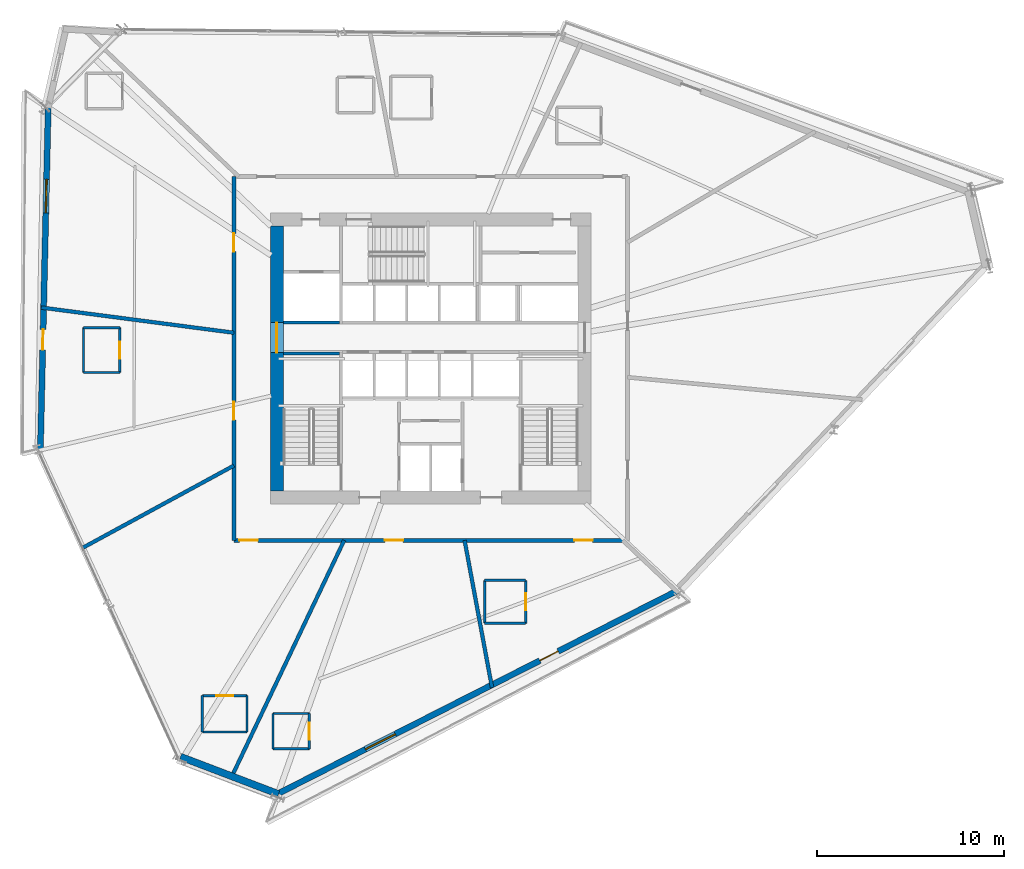
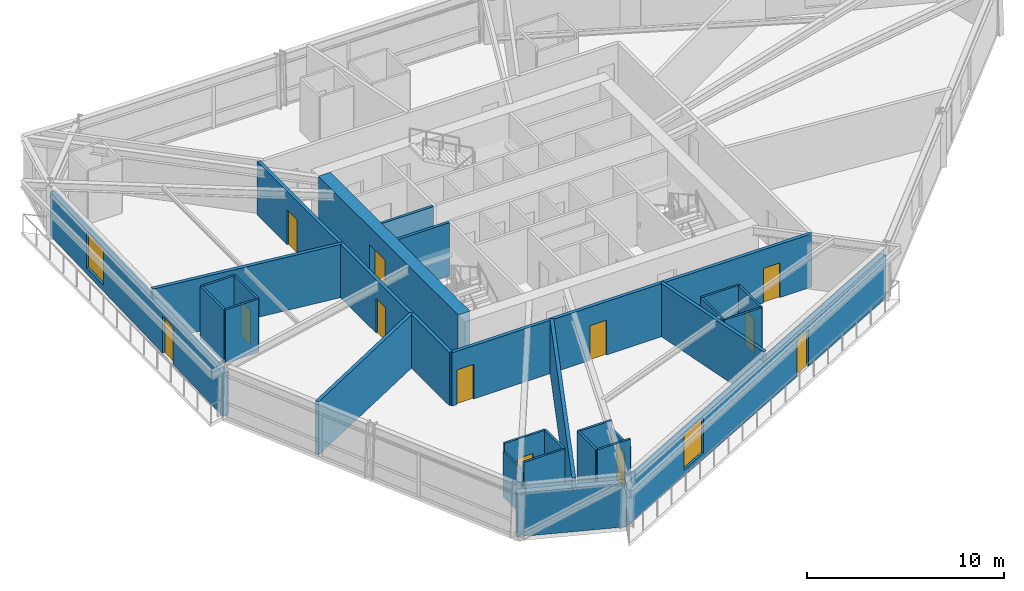
# One storey, part 14 of 21: 28 walls, 12 doors, 2 windows, 14 openings.
"""IFC4 building model written with IfcOpenShell, lengths in metres."""

import ifcopenshell
import ifcopenshell.guid

model = None  # the IFC model being written
_history = None  # IfcOwnerHistory: only IFC2X3 demands one
_inside = {}  # id of a spatial element -> (the spatial element, [elements in it])
_under = {}  # id of a project, library or spatial element -> (it, [spatial elements below it])
_declared = {}  # id of a project -> (the project, [libraries it declares])
_typed = {}  # id of a type object -> (the type object, [elements of that type])
_made_of = {}  # id of a material, layer set ... -> (it, [elements and type objects made of it])


def new_model(schema):
    """Start an empty IFC model of exactly this schema.

    Asked for "IFC4X3", IfcOpenShell would pick the latest addendum, in which some entities
    have other attributes; the version numbers below select the first issue.
    IFC2X3 requires an IfcOwnerHistory on every rooted entity: one is made here for all.
    """
    global model, _history
    if schema == "IFC4X3":
        model = ifcopenshell.file(schema_version=(4, 3, 0, 0))
    else:
        model = ifcopenshell.file(schema=schema)
    _inside.clear()
    _under.clear()
    _declared.clear()
    _typed.clear()
    _made_of.clear()
    _history = None
    if model.schema == "IFC2X3":
        org = make("IfcOrganization", Name="unknown")
        user = make(
            "IfcPersonAndOrganization",
            ThePerson=make("IfcPerson", FamilyName="unknown"),
            TheOrganization=org,
        )
        app = make(
            "IfcApplication",
            ApplicationDeveloper=org,
            Version="unknown",
            ApplicationFullName="unknown",
            ApplicationIdentifier="unknown",
        )
        _history = make(
            "IfcOwnerHistory",
            OwningUser=user,
            OwningApplication=app,
            ChangeAction="ADDED",
            CreationDate=0,
        )
    return model


def make(cls, **values):
    """One entity of the class cls with the attributes given. An attribute that is None is left unset."""
    return model.create_entity(
        cls, **{name: value for name, value in values.items() if value is not None}
    )


def rooted(cls, **values):
    """An entity with a GlobalId (a new one), such as an element, a storey or a relation."""
    return make(cls, GlobalId=ifcopenshell.guid.new(), OwnerHistory=_history, **values)


def si_unit(unit_type, name, prefix=None):
    """IfcSIUnit, for example si_unit("LENGTHUNIT", "METRE", prefix="MILLI")."""
    return make("IfcSIUnit", UnitType=unit_type, Prefix=prefix, Name=name)


def assignment(units):
    """IfcUnitAssignment: the units of a project."""
    return None if units is None else make("IfcUnitAssignment", Units=units)


def point(xyz):
    """IfcCartesianPoint."""
    return None if xyz is None else make("IfcCartesianPoint", Coordinates=xyz)


def direction(xyz):
    """IfcDirection."""
    return None if xyz is None else make("IfcDirection", DirectionRatios=xyz)


def frame(location, z_axis=None, x_axis=None):
    """IfcAxis2Placement3D, a coordinate frame: its origin and axes. An axis left out is left unset."""
    return make(
        "IfcAxis2Placement3D",
        Location=point(location),
        Axis=direction(z_axis),
        RefDirection=direction(x_axis),
    )


def frame_2d(location, x_axis=None):
    """IfcAxis2Placement2D, a coordinate frame in the plane: its origin and x axis."""
    return make(
        "IfcAxis2Placement2D", Location=point(location), RefDirection=direction(x_axis)
    )


def origin():
    """The frame at (0, 0, 0) with its axes left unset."""
    return frame((0.0, 0.0, 0.0))


def place(relative_to, where):
    """IfcLocalPlacement: puts the frame where relative to a parent placement (None: the world)."""
    return make(
        "IfcLocalPlacement", PlacementRelTo=relative_to, RelativePlacement=where
    )


def context(
    kind, dimensions, precision=None, world=None, true_north=None, identifier=None
):
    """IfcGeometricRepresentationContext, for example the 3D "Model" context."""
    return make(
        "IfcGeometricRepresentationContext",
        ContextIdentifier=identifier,
        ContextType=kind,
        CoordinateSpaceDimension=dimensions,
        Precision=precision,
        WorldCoordinateSystem=world,
        TrueNorth=true_north,
    )


def subcontext(parent, identifier, kind, view, scale=None):
    """IfcGeometricRepresentationSubContext, for example "Body" below "Model"."""
    return make(
        "IfcGeometricRepresentationSubContext",
        ContextIdentifier=identifier,
        ContextType=kind,
        ParentContext=parent,
        TargetScale=scale,
        TargetView=view,
    )


def project(units=None, contexts=None):
    """IfcProject with its units and contexts."""
    return rooted(
        "IfcProject",
        Name="project",
        RepresentationContexts=contexts,
        UnitsInContext=assignment(units),
    )


def spatial(cls, under=None, at=None, **own):
    """A site, building, storey or space (cls), placed at a placement, below another one or the project."""
    s = rooted(cls, ObjectPlacement=at, **own)
    if under is not None:
        _under.setdefault(under.id(), (under, []))[1].append(s)
    return s


def profile(cls, at=None, kind="AREA", **sizes):
    """A parametric profile (cls). Its sizes go by their IFC names, for example OverallWidth=200.0."""
    return make(cls, ProfileType=kind, Position=at, **sizes)


def rectangle(**sizes):
    """IfcRectangleProfileDef."""
    return profile("IfcRectangleProfileDef", **sizes)


def extrude(swept, where, along, depth):
    """IfcExtrudedAreaSolid: the profile swept, set in the frame where, extruded along a direction by depth."""
    return make(
        "IfcExtrudedAreaSolid",
        SweptArea=swept,
        Position=where,
        ExtrudedDirection=direction(along),
        Depth=depth,
    )


def shape(context_of_items, identifier, shape_type, items):
    """IfcShapeRepresentation: the items that make up one representation, for example the "Body"."""
    return make(
        "IfcShapeRepresentation",
        ContextOfItems=context_of_items,
        RepresentationIdentifier=identifier,
        RepresentationType=shape_type,
        Items=items,
    )


def source(mapping_origin, context_of_items, identifier, shape_type, items):
    """IfcRepresentationMap: a shape defined once, which mapped items show again and again."""
    return make(
        "IfcRepresentationMap",
        MappingOrigin=mapping_origin,
        MappedRepresentation=shape(context_of_items, identifier, shape_type, items),
    )


def transform(
    local_origin,
    x_axis=None,
    y_axis=None,
    z_axis=None,
    scale=None,
    scale2=None,
    scale3=None,
    uniform=True,
):
    """IfcCartesianTransformationOperator3D, or its non-uniform kind. x_axis, y_axis, z_axis: its Axis1, 2, 3."""
    if uniform:
        return make(
            "IfcCartesianTransformationOperator3D",
            Axis1=direction(x_axis),
            Axis2=direction(y_axis),
            LocalOrigin=point(local_origin),
            Scale=scale,
            Axis3=direction(z_axis),
        )
    return make(
        "IfcCartesianTransformationOperator3DnonUniform",
        Axis1=direction(x_axis),
        Axis2=direction(y_axis),
        LocalOrigin=point(local_origin),
        Scale=scale,
        Axis3=direction(z_axis),
        Scale2=scale2,
        Scale3=scale3,
    )


def mapped(mapping_source, mapping_target):
    """IfcMappedItem: shows the shape of a source again, moved by a transform."""
    return make(
        "IfcMappedItem", MappingSource=mapping_source, MappingTarget=mapping_target
    )


def material(Name=None, Category=None):
    """IfcMaterial."""
    return make("IfcMaterial", Name=Name, Category=Category)


def layer(
    of_material, thickness, ventilated=None, Name=None, Category=None, Priority=None
):
    """IfcMaterialLayer: one layer of a wall or slab, of a material (None: an air gap)."""
    return make(
        "IfcMaterialLayer",
        Material=of_material,
        LayerThickness=thickness,
        IsVentilated=ventilated,
        Name=Name,
        Category=Category,
        Priority=Priority,
    )


def layer_set(layers, Name=None):
    """IfcMaterialLayerSet."""
    return make("IfcMaterialLayerSet", MaterialLayers=layers, LayerSetName=Name)


def made_of(thing, what):
    """Note that an element or type object is made of a material, layer set ...; save() writes the relation."""
    if what is not None:
        _made_of.setdefault(what.id(), (what, []))[1].append(thing)
    return thing


def type_object(cls, material=None, **own):
    """A type object (cls), such as IfcWallType, which elements share."""
    return made_of(rooted(cls, **own), material)


def type_shapes(of_type, sources):
    """Give a type object the sources (RepresentationMaps) that its elements show as mapped items."""
    of_type.RepresentationMaps = sources


def element(
    cls,
    number,
    at=None,
    inside=None,
    cuts=None,
    type_object=None,
    material=None,
    context=None,
    identifier="Body",
    shape_type=None,
    held_by="IfcProductDefinitionShape",
    body=None,
    shapes=None,
    **own,
):
    """One element of the class cls, such as IfcWall. Its Tag is "e" and its number.

    at: its placement. inside: the storey or other place that contains it. cuts: it is an
    opening in that element (IfcRelVoidsElement). A single representation is given by context,
    identifier, shape_type and body (its items); several are given by shapes. held_by: the class
    of the entity that holds the representations. save() writes the other relations.
    """
    e = rooted(cls, Tag="e%d" % number, ObjectPlacement=at, **own)
    if body is not None:
        shapes = [shape(context, identifier, shape_type, body)]
    if shapes is not None:
        e.Representation = make(held_by, Representations=shapes)
    if inside is not None:
        _inside.setdefault(inside.id(), (inside, []))[1].append(e)
    if cuts is not None:
        rooted(
            "IfcRelVoidsElement", RelatingBuildingElement=cuts, RelatedOpeningElement=e
        )
    if type_object is not None:
        _typed.setdefault(type_object.id(), (type_object, []))[1].append(e)
    return made_of(e, material)


def fill(opening, filler):
    """IfcRelFillsElement: the door or window that sits in an opening."""
    return rooted(
        "IfcRelFillsElement",
        RelatingOpeningElement=opening,
        RelatedBuildingElement=filler,
    )


def aggregate(whole, parts):
    """IfcRelAggregates: a whole, such as a stair, and the parts it consists of."""
    return rooted("IfcRelAggregates", RelatingObject=whole, RelatedObjects=parts)


def save(model, path):
    """Write the relations noted so far, then the file.

    IfcRelAggregates (storeys below a building ...), IfcRelContainedInSpatialStructure (elements
    in a storey), IfcRelDefinesByType, IfcRelAssociatesMaterial and IfcRelDeclares: one each for
    every whole, place, type object, material and project.
    """
    for whole, parts in _under.values():
        aggregate(whole, parts)
    for where, things in _inside.values():
        rooted(
            "IfcRelContainedInSpatialStructure",
            RelatedElements=things,
            RelatingStructure=where,
        )
    for kind, things in _typed.values():
        rooted("IfcRelDefinesByType", RelatedObjects=things, RelatingType=kind)
    for what, things in _made_of.values():
        rooted("IfcRelAssociatesMaterial", RelatedObjects=things, RelatingMaterial=what)
    for by, libraries in _declared.values():
        rooted("IfcRelDeclares", RelatingContext=by, RelatedDefinitions=libraries)
    model.write(path)


model = new_model("IFC4")

# Units and contexts
model_context = context("Model", 3, precision=1e-05, world=origin(), true_north=direction((0.0, 1.0)))
body_context = subcontext(model_context, "Body", "Model", "MODEL_VIEW")
ifc_project = project(units=[si_unit("LENGTHUNIT", "METRE"), si_unit("AREAUNIT", "SQUARE_METRE"), si_unit("VOLUMEUNIT", "CUBIC_METRE"), si_unit("PLANEANGLEUNIT", "RADIAN"), si_unit("MASSUNIT", "GRAM", prefix="KILO")], contexts=[model_context])

# Site, building, storey
site_placement = place(None, origin())
site = spatial("IfcSite", under=ifc_project, at=site_placement, CompositionType="ELEMENT")
building_placement = place(site_placement, origin())
building = spatial("IfcBuilding", under=site, at=building_placement, Name="Olszyna Solenne Hotel", CompositionType="ELEMENT")
storey_placement = place(building_placement, frame((0.0, 0.0, 91.5)))
storey = spatial("IfcBuildingStorey", under=building, at=storey_placement, Name="L23", CompositionType="ELEMENT", Elevation=91.5)

# Wall, opening, door
ifc_material_1 = material(Name="Concrete C60/75", Category="concrete")
ifc_layer_1 = layer(ifc_material_1, 0.699951171875, Name="Concrete C60/75")
ifc_layer_set_1 = layer_set([ifc_layer_1], Name="Concrete C60/75")
wall_type_1 = type_object("IfcWallType", Name="WL-CR700", PredefinedType="SHEAR", material=ifc_layer_set_1)
wall_1_placement = place(storey_placement, frame((29.75, 19.5, 0.0), z_axis=(0.0, 0.0, 1.0), x_axis=(0.0, 1.0, 0.0)))
wall_1 = element("IfcWall", 1, at=wall_1_placement, inside=storey, type_object=wall_type_1, Name="Core shear wall WL-CR700 CRW-L23-W", PredefinedType="SHEAR", context=body_context, shape_type="SweptSolid", body=[
    extrude(rectangle(XDim=14.199951171875, YDim=0.699951171875, at=frame_2d((7.10009765625, 0.0))), origin(), (0.0, 0.0, 1.0), 3.300048828125),
])
opening_1_placement = place(wall_1_placement, frame((7.419921875, 0.0, 0.0)))
opening_1 = element("IfcOpeningElement", 2, at=opening_1_placement, cuts=wall_1, Name="Opening LHD-L23-W", PredefinedType="OPENING", context=body_context, shape_type="SweptSolid", body=[
    extrude(rectangle(XDim=1.60009765625, YDim=2.199951171875, at=frame_2d((0.800048828125, 1.10009765625))), frame((0.0, 0.35986328125, 0.0), z_axis=(0.0, -1.0, 0.0), x_axis=(1.0, 0.0, 0.0)), (0.0, 0.0, 1.0), 0.719970703125),
])
ifc_material_2 = material(Name="Timber hardwood", Category="wood")
door_type_1 = type_object("IfcDoorType", Name="DR-CR1", OperationType="DOUBLE_DOOR_SINGLE_SWING", PredefinedType="DOOR", material=ifc_material_2)
shared_shape_1 = source(origin(), body_context, "Body", "SweptSolid", [
    extrude(rectangle(XDim=1.60009765625, YDim=2.199951171875, at=frame_2d((0.800048828125, 1.10009765625))), frame((0.0, 0.02490234375, 0.0), z_axis=(0.0, -1.0, 0.0), x_axis=(1.0, 0.0, 0.0)), (0.0, 0.0, 1.0), 0.050048828125),
])
type_shapes(door_type_1, [shared_shape_1])
door_1_placement = place(opening_1_placement, origin())
door_1 = element("IfcDoor", 3, at=door_1_placement, inside=storey, type_object=door_type_1, Name="Passenger lift lobby West fire door LHD-L23-W", OperationType="DOUBLE_DOOR_SINGLE_SWING", OverallHeight=2.199951171875, OverallWidth=1.60009765625, PredefinedType="DOOR", context=body_context, shape_type="MappedRepresentation", body=[
    mapped(shared_shape_1, transform((0.0, 0.0, 0.0), x_axis=(1.0, 0.0, 0.0), y_axis=(0.0, 1.0, 0.0), z_axis=(0.0, 0.0, 1.0), scale=1.0)),
])
fill(opening_1, door_1)

# Wall, openings, door, window
ifc_material_3 = material(Name="Precast concrete C45/55", Category="concrete")
ifc_layer_2 = layer(ifc_material_3, 0.320068359375, Name="Precast concrete C45/55")
ifc_layer_set_2 = layer_set([ifc_layer_2], Name="Precast concrete C45/55")
wall_type_2 = type_object("IfcWallType", Name="WL-EX320", PredefinedType="SOLIDWALL", material=ifc_layer_set_2)
wall_2_placement = place(storey_placement, frame((51.23193359375, 14.158935546875, 0.0), z_axis=(0.0, 0.0, 1.0), x_axis=(-0.891474274581, -0.453071316417, 0.0)))
wall_2 = element("IfcWall", 4, at=wall_2_placement, inside=storey, type_object=wall_type_2, Name="Exterior terracotta-precast frame wall WL-EX320 EW-L23-01", PredefinedType="SOLIDWALL", context=body_context, shape_type="SweptSolid", body=[
    extrude(rectangle(XDim=24.150390625, YDim=0.320068359375, at=frame_2d((12.0751953125, 0.0))), origin(), (0.0, 0.0, 1.0), 2.69189453125),
])
opening_2_placement = place(wall_2_placement, frame((7.177978515625, 0.0, 0.0)))
opening_2 = element("IfcOpeningElement", 5, at=opening_2_placement, cuts=wall_2, Name="Opening LDG-L23-3", PredefinedType="OPENING", context=body_context, shape_type="SweptSolid", body=[
    extrude(rectangle(XDim=1.10009765625, YDim=2.300048828125, at=frame_2d((0.550048828125, 1.14990234375))), frame((0.0, 0.169921875, 0.0), z_axis=(0.0, -1.0, 0.0), x_axis=(1.0, 0.0, 0.0)), (0.0, 0.0, 1.0), 0.340087890625),
])
opening_3_placement = place(wall_2_placement, frame((16.970947265625, 0.0, 0.3720703125)))
opening_3 = element("IfcOpeningElement", 6, at=opening_3_placement, cuts=wall_2, Name="Opening WN-L23-121", PredefinedType="OPENING", context=body_context, shape_type="SweptSolid", body=[
    extrude(rectangle(XDim=1.800048828125, YDim=2.199951171875, at=frame_2d((0.89990234375, 1.10009765625))), frame((0.0, 0.169921875, 0.0), z_axis=(0.0, -1.0, 0.0), x_axis=(1.0, 0.0, 0.0)), (0.0, 0.0, 1.0), 0.340087890625),
])
ifc_material_4 = material(Name="Anodised bronze aluminium", Category="aluminium")
door_type_2 = type_object("IfcDoorType", Name="DR-LG1", OperationType="NOTDEFINED", PredefinedType="DOOR", material=ifc_material_4)
shared_shape_2 = source(origin(), body_context, "Body", "SweptSolid", [
    extrude(rectangle(XDim=1.10009765625, YDim=2.300048828125, at=frame_2d((0.550048828125, 1.14990234375))), frame((0.0, 0.02490234375, 0.0), z_axis=(0.0, -1.0, 0.0), x_axis=(1.0, 0.0, 0.0)), (0.0, 0.0, 1.0), 0.050048828125),
])
type_shapes(door_type_2, [shared_shape_2])
door_2_placement = place(opening_2_placement, origin())
door_2 = element("IfcDoor", 7, at=door_2_placement, inside=storey, type_object=door_type_2, Name="Exterior loggia balcony door DR-LG1 LDG-L23-3", OperationType="SINGLE_SWING_RIGHT", OverallHeight=2.300048828125, OverallWidth=1.10009765625, PredefinedType="DOOR", context=body_context, shape_type="MappedRepresentation", body=[
    mapped(shared_shape_2, transform((0.0, 0.0, 0.0), x_axis=(1.0, 0.0, 0.0), y_axis=(0.0, 1.0, 0.0), z_axis=(0.0, 0.0, 1.0), scale=1.0)),
])
fill(opening_2, door_2)
ifc_material_5 = material(Name="Low-E triple glazing", Category="glass")
window_type = type_object("IfcWindowType", Name="WN-HT1", PartitioningType="SINGLE_PANEL", PredefinedType="WINDOW", material=ifc_material_5)
shared_shape_3 = source(origin(), body_context, "Body", "SweptSolid", [
    extrude(rectangle(XDim=1.800048828125, YDim=2.199951171875, at=frame_2d((0.89990234375, 1.10009765625))), frame((0.0, 0.030029296875, 0.0), z_axis=(0.0, -1.0, 0.0), x_axis=(1.0, 0.0, 0.0)), (0.0, 0.0, 1.0), 0.06005859375),
])
type_shapes(window_type, [shared_shape_3])
window_1_placement = place(opening_3_placement, origin())
window_1 = element("IfcWindow", 8, at=window_1_placement, inside=storey, type_object=window_type, Name="Loggia room window WN-HT1 WN-L23-121", OverallHeight=2.199951171875, OverallWidth=1.800048828125, PartitioningType="SINGLE_PANEL", PredefinedType="WINDOW", context=body_context, shape_type="MappedRepresentation", body=[
    mapped(shared_shape_3, transform((0.0, 0.0, 0.0), x_axis=(1.0, 0.0, 0.0), y_axis=(0.0, 1.0, 0.0), z_axis=(0.0, 0.0, 1.0), scale=1.0)),
])
fill(opening_3, window_1)

wall_3_placement = place(storey_placement, frame((17.079833984375, 21.746826171875, 0.0), z_axis=(0.0, 0.0, 1.0), x_axis=(0.022779504823, 0.999740513413, 0.0)))
wall_3 = element("IfcWall", 9, at=wall_3_placement, inside=storey, type_object=wall_type_2, Name="Exterior terracotta-precast frame wall WL-EX320 EW-L23-04", PredefinedType="SOLIDWALL", context=body_context, shape_type="SweptSolid", body=[
    extrude(rectangle(XDim=18.326904296875, YDim=0.320068359375, at=frame_2d((9.16357421875, 0.0))), origin(), (0.0, 0.0, 1.0), 2.69189453125),
])
opening_4_placement = place(wall_3_placement, frame((5.31494140625, 0.0, 0.0)))
opening_4 = element("IfcOpeningElement", 10, at=opening_4_placement, cuts=wall_3, Name="Opening LDG-L23-2", PredefinedType="OPENING", context=body_context, shape_type="SweptSolid", body=[
    extrude(rectangle(XDim=1.10009765625, YDim=2.300048828125, at=frame_2d((0.550048828125, 1.14990234375))), frame((0.0, 0.169921875, 0.0), z_axis=(0.0, -1.0, 0.0), x_axis=(1.0, 0.0, 0.0)), (0.0, 0.0, 1.0), 0.340087890625),
])
opening_5_placement = place(wall_3_placement, frame((12.662109375, 0.0, 0.3720703125)))
opening_5 = element("IfcOpeningElement", 11, at=opening_5_placement, cuts=wall_3, Name="Opening WN-L23-122", PredefinedType="OPENING", context=body_context, shape_type="SweptSolid", body=[
    extrude(rectangle(XDim=1.800048828125, YDim=2.199951171875, at=frame_2d((0.89990234375, 1.10009765625))), frame((0.0, 0.169921875, 0.0), z_axis=(0.0, -1.0, 0.0), x_axis=(1.0, 0.0, 0.0)), (0.0, 0.0, 1.0), 0.340087890625),
])
door_3_placement = place(opening_4_placement, origin())
door_3 = element("IfcDoor", 12, at=door_3_placement, inside=storey, type_object=door_type_2, Name="Exterior loggia balcony door DR-LG1 LDG-L23-2", OperationType="SINGLE_SWING_LEFT", OverallHeight=2.300048828125, OverallWidth=1.10009765625, PredefinedType="DOOR", context=body_context, shape_type="MappedRepresentation", body=[
    mapped(shared_shape_2, transform((0.0, 0.0, 0.0), x_axis=(1.0, 0.0, 0.0), y_axis=(0.0, 1.0, 0.0), z_axis=(0.0, 0.0, 1.0), scale=1.0)),
])
fill(opening_4, door_3)
window_2_placement = place(opening_5_placement, origin())
window_2 = element("IfcWindow", 13, at=window_2_placement, inside=storey, type_object=window_type, Name="Loggia room window WN-HT1 WN-L23-122", OverallHeight=2.199951171875, OverallWidth=1.800048828125, PartitioningType="SINGLE_PANEL", PredefinedType="WINDOW", context=body_context, shape_type="MappedRepresentation", body=[
    mapped(shared_shape_3, transform((0.0, 0.0, 0.0), x_axis=(1.0, 0.0, 0.0), y_axis=(0.0, 1.0, 0.0), z_axis=(0.0, 0.0, 1.0), scale=1.0)),
])
fill(opening_5, window_2)

# Wall
ifc_material_6 = material(Name="Terracotta cladding on precast concrete C45/55", Category="masonry")
ifc_layer_3 = layer(ifc_material_6, 0.3798828125, Name="Terracotta cladding on precast concrete C45/55")
ifc_layer_set_3 = layer_set([ifc_layer_3], Name="Terracotta cladding on precast concrete C45/55")
wall_type_3 = type_object("IfcWallType", Name="WL-EX380", PredefinedType="SOLIDWALL", material=ifc_layer_set_3)
wall_4_placement = place(storey_placement, frame((29.84228515625, 3.251953125, 0.0), z_axis=(0.0, 0.0, 1.0), x_axis=(-0.934519383399, 0.355912239255, 0.0)))
element("IfcWall", 14, at=wall_4_placement, inside=storey, type_object=wall_type_3, Name="Exterior terracotta-precast frame wall WL-EX380 EW-L23-02", PredefinedType="SOLIDWALL", context=body_context, shape_type="SweptSolid", body=[
    extrude(rectangle(XDim=5.620849609375, YDim=0.3798828125, at=frame_2d((2.810546875, 0.0))), origin(), (0.0, 0.0, 1.0), 2.69189453125),
])

# Wall, opening, door
ifc_material_7 = material(Name="Acoustic gypsum partition", Category="gypsum")
ifc_layer_4 = layer(ifc_material_7, 0.125, Name="Acoustic gypsum partition")
ifc_layer_set_4 = layer_set([ifc_layer_4], Name="Acoustic gypsum partition")
wall_type_4 = type_object("IfcWallType", Name="WL-PT125", PredefinedType="PARTITIONING", material=ifc_layer_set_4)
wall_5_placement = place(storey_placement, frame((21.3359375, 25.847900390625, 0.0), z_axis=(0.0, 0.0, 1.0), x_axis=(0.0, 1.0, 0.0)))
wall_5 = element("IfcWall", 15, at=wall_5_placement, inside=storey, type_object=wall_type_4, Name="Interior acoustic partition WL-PT125 PW-L23-1319", PredefinedType="PARTITIONING", context=body_context, shape_type="SweptSolid", body=[
    extrude(rectangle(XDim=2.400146484375, YDim=0.125, at=frame_2d((1.2001953125, 0.0))), origin(), (0.0, 0.0, 1.0), 3.300048828125),
])
opening_6_placement = place(wall_5_placement, frame((0.75, 0.0, 0.0)))
opening_6 = element("IfcOpeningElement", 16, at=opening_6_placement, cuts=wall_5, Name="Opening DR-L23-0305", PredefinedType="OPENING", context=body_context, shape_type="SweptSolid", body=[
    extrude(rectangle(XDim=0.89990234375, YDim=2.10009765625, at=frame_2d((0.449951171875, 1.050048828125))), frame((0.0, 0.072509765625, 0.0), z_axis=(0.0, -1.0, 0.0), x_axis=(1.0, 0.0, 0.0)), (0.0, 0.0, 1.0), 0.14501953125),
])
door_type_3 = type_object("IfcDoorType", Name="DR-WC1", OperationType="NOTDEFINED", PredefinedType="DOOR", material=ifc_material_2)
shared_shape_4 = source(origin(), body_context, "Body", "SweptSolid", [
    extrude(rectangle(XDim=0.89990234375, YDim=2.10009765625, at=frame_2d((0.449951171875, 1.050048828125))), frame((0.0, 0.02490234375, 0.0), z_axis=(0.0, -1.0, 0.0), x_axis=(1.0, 0.0, 0.0)), (0.0, 0.0, 1.0), 0.050048828125),
])
type_shapes(door_type_3, [shared_shape_4])
door_4_placement = place(opening_6_placement, origin())
door_4 = element("IfcDoor", 17, at=door_4_placement, inside=storey, type_object=door_type_3, Name="En-Suite Bathroom Door DR-L23-0305", OperationType="SINGLE_SWING_LEFT", OverallHeight=2.10009765625, OverallWidth=0.89990234375, PredefinedType="DOOR", context=body_context, shape_type="MappedRepresentation", body=[
    mapped(shared_shape_4, transform((0.0, 0.0, 0.0), x_axis=(1.0, 0.0, 0.0), y_axis=(0.0, 1.0, 0.0), z_axis=(0.0, 0.0, 1.0), scale=1.0)),
])
fill(opening_6, door_4)

# Walls
wall_6_placement = place(storey_placement, frame((21.3359375, 28.248046875, 0.0), z_axis=(0.0, 0.0, 1.0), x_axis=(-1.0, 0.0, 0.0)))
element("IfcWall", 18, at=wall_6_placement, inside=storey, type_object=wall_type_4, Name="Interior acoustic partition WL-PT125 PW-L23-1320", PredefinedType="PARTITIONING", context=body_context, shape_type="SweptSolid", body=[
    extrude(rectangle(XDim=1.949951171875, YDim=0.125, at=frame_2d((0.97509765625, 0.0))), origin(), (0.0, 0.0, 1.0), 3.300048828125),
])
wall_7_placement = place(storey_placement, frame((19.385986328125, 28.248046875, 0.0), z_axis=(0.0, 0.0, 1.0), x_axis=(0.0, -1.0, 0.0)))
element("IfcWall", 19, at=wall_7_placement, inside=storey, type_object=wall_type_4, Name="Interior acoustic partition WL-PT125 PW-L23-1321", PredefinedType="PARTITIONING", context=body_context, shape_type="SweptSolid", body=[
    extrude(rectangle(XDim=2.400146484375, YDim=0.125, at=frame_2d((1.2001953125, 0.0))), origin(), (0.0, 0.0, 1.0), 3.300048828125),
])
for number, where, z_axis, x_axis, name in (
    (20, (19.385986328125, 25.847900390625, 0.0), (0.0, 0.0, 1.0), (1.0, 0.0, 0.0), "Interior acoustic partition WL-PT125 PW-L23-1322"),
    (21, (28.155029296875, 6.580078125, 0.0), (0.0, 0.0, 1.0), (0.0, 1.0, 0.0), "Interior acoustic partition WL-PT125 PW-L23-1323"),
):
    element("IfcWall", number, at=place(storey_placement, frame(where, z_axis=z_axis, x_axis=x_axis)), inside=storey, type_object=wall_type_4, Name=name, PredefinedType="PARTITIONING", context=body_context, shape_type="SweptSolid", body=[
        extrude(rectangle(XDim=1.949951171875, YDim=0.125, at=frame_2d((0.97509765625, 0.0))), origin(), (0.0, 0.0, 1.0), 3.300048828125),
    ])

# Wall, opening, door
wall_8_placement = place(storey_placement, frame((28.155029296875, 8.530029296875, 0.0), z_axis=(0.0, 0.0, 1.0), x_axis=(-1.0, 0.0, 0.0)))
wall_8 = element("IfcWall", 22, at=wall_8_placement, inside=storey, type_object=wall_type_4, Name="Interior acoustic partition WL-PT125 PW-L23-1324", PredefinedType="PARTITIONING", context=body_context, shape_type="SweptSolid", body=[
    extrude(rectangle(XDim=2.400146484375, YDim=0.125, at=frame_2d((1.2001953125, 0.0))), origin(), (0.0, 0.0, 1.0), 3.300048828125),
])
opening_7_placement = place(wall_8_placement, frame((0.75, 0.0, 0.0)))
opening_7 = element("IfcOpeningElement", 23, at=opening_7_placement, cuts=wall_8, Name="Opening DR-L23-0306", PredefinedType="OPENING", context=body_context, shape_type="SweptSolid", body=[
    extrude(rectangle(XDim=0.89990234375, YDim=2.10009765625, at=frame_2d((0.449951171875, 1.050048828125))), frame((0.0, 0.072509765625, 0.0), z_axis=(0.0, -1.0, 0.0), x_axis=(1.0, 0.0, 0.0)), (0.0, 0.0, 1.0), 0.14501953125),
])
door_5_placement = place(opening_7_placement, origin())
door_5 = element("IfcDoor", 24, at=door_5_placement, inside=storey, type_object=door_type_3, Name="En-Suite Bathroom Door DR-L23-0306", OperationType="SINGLE_SWING_RIGHT", OverallHeight=2.10009765625, OverallWidth=0.89990234375, PredefinedType="DOOR", context=body_context, shape_type="MappedRepresentation", body=[
    mapped(shared_shape_4, transform((0.0, 0.0, 0.0), x_axis=(1.0, 0.0, 0.0), y_axis=(0.0, 1.0, 0.0), z_axis=(0.0, 0.0, 1.0), scale=1.0)),
])
fill(opening_7, door_5)

# Walls
wall_9_placement = place(storey_placement, frame((25.7548828125, 8.530029296875, 0.0), z_axis=(0.0, 0.0, 1.0), x_axis=(0.0, -1.0, 0.0)))
element("IfcWall", 25, at=wall_9_placement, inside=storey, type_object=wall_type_4, Name="Interior acoustic partition WL-PT125 PW-L23-1325", PredefinedType="PARTITIONING", context=body_context, shape_type="SweptSolid", body=[
    extrude(rectangle(XDim=1.949951171875, YDim=0.125, at=frame_2d((0.97509765625, 0.0))), origin(), (0.0, 0.0, 1.0), 2.794921875),
])
wall_10_placement = place(storey_placement, frame((25.7548828125, 6.580078125, 0.0), z_axis=(0.0, 0.0, 1.0), x_axis=(1.0, 0.0, 0.0)))
element("IfcWall", 26, at=wall_10_placement, inside=storey, type_object=wall_type_4, Name="Interior acoustic partition WL-PT125 PW-L23-1326", PredefinedType="PARTITIONING", context=body_context, shape_type="SweptSolid", body=[
    extrude(rectangle(XDim=2.400146484375, YDim=0.125, at=frame_2d((1.2001953125, 0.0))), origin(), (0.0, 0.0, 1.0), 3.300048828125),
])

# Wall, opening, door
wall_11_placement = place(storey_placement, frame((31.492919921875, 5.676025390625, 0.0), z_axis=(0.0, 0.0, 1.0), x_axis=(0.0, 1.0, 0.0)))
wall_11 = element("IfcWall", 27, at=wall_11_placement, inside=storey, type_object=wall_type_4, Name="Interior acoustic partition WL-PT125 PW-L23-1327", PredefinedType="PARTITIONING", context=body_context, shape_type="SweptSolid", body=[
    extrude(rectangle(XDim=1.89990234375, YDim=0.125, at=frame_2d((0.949951171875, 0.0))), origin(), (0.0, 0.0, 1.0), 2.794921875),
])
opening_8_placement = place(wall_11_placement, frame((0.5, 0.0, 0.0)))
opening_8 = element("IfcOpeningElement", 28, at=opening_8_placement, cuts=wall_11, Name="Opening DR-L23-0307", PredefinedType="OPENING", context=body_context, shape_type="SweptSolid", body=[
    extrude(rectangle(XDim=0.89990234375, YDim=2.10009765625, at=frame_2d((0.449951171875, 1.050048828125))), frame((0.0, 0.072509765625, 0.0), z_axis=(0.0, -1.0, 0.0), x_axis=(1.0, 0.0, 0.0)), (0.0, 0.0, 1.0), 0.14501953125),
])
door_6_placement = place(opening_8_placement, origin())
door_6 = element("IfcDoor", 29, at=door_6_placement, inside=storey, type_object=door_type_3, Name="En-Suite Bathroom Door DR-L23-0307", OperationType="SINGLE_SWING_LEFT", OverallHeight=2.10009765625, OverallWidth=0.89990234375, PredefinedType="DOOR", context=body_context, shape_type="MappedRepresentation", body=[
    mapped(shared_shape_4, transform((0.0, 0.0, 0.0), x_axis=(1.0, 0.0, 0.0), y_axis=(0.0, 1.0, 0.0), z_axis=(0.0, 0.0, 1.0), scale=1.0)),
])
fill(opening_8, door_6)

# Walls
wall_12_placement = place(storey_placement, frame((31.492919921875, 7.575927734375, 0.0), z_axis=(0.0, 0.0, 1.0), x_axis=(-1.0, 0.0, 0.0)))
element("IfcWall", 30, at=wall_12_placement, inside=storey, type_object=wall_type_4, Name="Interior acoustic partition WL-PT125 PW-L23-1328", PredefinedType="PARTITIONING", context=body_context, shape_type="SweptSolid", body=[
    extrude(rectangle(XDim=1.949951171875, YDim=0.125, at=frame_2d((0.97509765625, 0.0))), origin(), (0.0, 0.0, 1.0), 3.300048828125),
])
wall_13_placement = place(storey_placement, frame((29.54296875, 7.575927734375, 0.0), z_axis=(0.0, 0.0, 1.0), x_axis=(0.0, -1.0, 0.0)))
element("IfcWall", 31, at=wall_13_placement, inside=storey, type_object=wall_type_4, Name="Interior acoustic partition WL-PT125 PW-L23-1329", PredefinedType="PARTITIONING", context=body_context, shape_type="SweptSolid", body=[
    extrude(rectangle(XDim=1.89990234375, YDim=0.125, at=frame_2d((0.949951171875, 0.0))), origin(), (0.0, 0.0, 1.0), 3.300048828125),
])
wall_14_placement = place(storey_placement, frame((29.54296875, 5.676025390625, 0.0), z_axis=(0.0, 0.0, 1.0), x_axis=(1.0, 0.0, 0.0)))
element("IfcWall", 32, at=wall_14_placement, inside=storey, type_object=wall_type_4, Name="Interior acoustic partition WL-PT125 PW-L23-1330", PredefinedType="PARTITIONING", context=body_context, shape_type="SweptSolid", body=[
    extrude(rectangle(XDim=1.949951171875, YDim=0.125, at=frame_2d((0.97509765625, 0.0))), origin(), (0.0, 0.0, 1.0), 3.300048828125),
])

# Wall, opening, door
wall_15_placement = place(storey_placement, frame((43.091064453125, 12.408935546875, 0.0), z_axis=(0.0, 0.0, 1.0), x_axis=(0.0, 1.0, 0.0)))
wall_15 = element("IfcWall", 33, at=wall_15_placement, inside=storey, type_object=wall_type_4, Name="Interior acoustic partition WL-PT125 PW-L23-1331", PredefinedType="PARTITIONING", context=body_context, shape_type="SweptSolid", body=[
    extrude(rectangle(XDim=2.300048828125, YDim=0.125, at=frame_2d((1.14990234375, 0.0))), origin(), (0.0, 0.0, 1.0), 3.300048828125),
])
opening_9_placement = place(wall_15_placement, frame((0.699951171875, 0.0, 0.0)))
opening_9 = element("IfcOpeningElement", 34, at=opening_9_placement, cuts=wall_15, Name="Opening DR-L23-0308", PredefinedType="OPENING", context=body_context, shape_type="SweptSolid", body=[
    extrude(rectangle(XDim=0.89990234375, YDim=2.10009765625, at=frame_2d((0.449951171875, 1.050048828125))), frame((0.0, 0.072509765625, 0.0), z_axis=(0.0, -1.0, 0.0), x_axis=(1.0, 0.0, 0.0)), (0.0, 0.0, 1.0), 0.14501953125),
])
door_7_placement = place(opening_9_placement, origin())
door_7 = element("IfcDoor", 35, at=door_7_placement, inside=storey, type_object=door_type_3, Name="En-Suite Bathroom Door DR-L23-0308", OperationType="SINGLE_SWING_LEFT", OverallHeight=2.10009765625, OverallWidth=0.89990234375, PredefinedType="DOOR", context=body_context, shape_type="MappedRepresentation", body=[
    mapped(shared_shape_4, transform((0.0, 0.0, 0.0), x_axis=(1.0, 0.0, 0.0), y_axis=(0.0, 1.0, 0.0), z_axis=(0.0, 0.0, 1.0), scale=1.0)),
])
fill(opening_9, door_7)

# Walls
wall_16_placement = place(storey_placement, frame((43.091064453125, 14.708984375, 0.0), z_axis=(0.0, 0.0, 1.0), x_axis=(-1.0, 0.0, 0.0)))
element("IfcWall", 36, at=wall_16_placement, inside=storey, type_object=wall_type_4, Name="Interior acoustic partition WL-PT125 PW-L23-1332", PredefinedType="PARTITIONING", context=body_context, shape_type="SweptSolid", body=[
    extrude(rectangle(XDim=2.199951171875, YDim=0.125, at=frame_2d((1.10009765625, 0.0))), origin(), (0.0, 0.0, 1.0), 3.300048828125),
])
wall_17_placement = place(storey_placement, frame((40.89111328125, 14.708984375, 0.0), z_axis=(0.0, 0.0, 1.0), x_axis=(0.0, -1.0, 0.0)))
element("IfcWall", 37, at=wall_17_placement, inside=storey, type_object=wall_type_4, Name="Interior acoustic partition WL-PT125 PW-L23-1333", PredefinedType="PARTITIONING", context=body_context, shape_type="SweptSolid", body=[
    extrude(rectangle(XDim=2.300048828125, YDim=0.125, at=frame_2d((1.14990234375, 0.0))), origin(), (0.0, 0.0, 1.0), 3.300048828125),
])
wall_18_placement = place(storey_placement, frame((40.89111328125, 12.408935546875, 0.0), z_axis=(0.0, 0.0, 1.0), x_axis=(1.0, 0.0, 0.0)))
element("IfcWall", 38, at=wall_18_placement, inside=storey, type_object=wall_type_4, Name="Interior acoustic partition WL-PT125 PW-L23-1334", PredefinedType="PARTITIONING", context=body_context, shape_type="SweptSolid", body=[
    extrude(rectangle(XDim=2.199951171875, YDim=0.125, at=frame_2d((1.10009765625, 0.0))), origin(), (0.0, 0.0, 1.0), 3.300048828125),
])
ifc_layer_5 = layer(ifc_material_7, 0.159912109375, Name="Acoustic gypsum partition")
ifc_layer_set_5 = layer_set([ifc_layer_5], Name="Acoustic gypsum partition")
wall_type_5 = type_object("IfcWallType", Name="WL-PT160", PredefinedType="PARTITIONING", material=ifc_layer_set_5)
for number, where, z_axis, x_axis, name in (
    (39, (30.10009765625, 26.8798828125, 0.0), (0.0, 0.0, 1.0), (1.0, 0.0, 0.0), "Core shaft compartment wall CW-L23-ST1N"),
    (40, (30.10009765625, 28.52001953125, 0.0), (0.0, 0.0, 1.0), (1.0, 0.0, 0.0), "Core shaft compartment wall CW-L23-SV1S"),
):
    element("IfcWall", number, at=place(storey_placement, frame(where, z_axis=z_axis, x_axis=x_axis)), inside=storey, type_object=wall_type_5, Name=name, PredefinedType="PARTITIONING", context=body_context, shape_type="SweptSolid", body=[
        extrude(rectangle(XDim=3.02001953125, YDim=0.159912109375, at=frame_2d((1.510009765625, 0.0))), origin(), (0.0, 0.0, 1.0), 3.300048828125),
    ])
ifc_layer_6 = layer(ifc_material_7, 0.199951171875, Name="Acoustic gypsum partition")
ifc_layer_set_6 = layer_set([ifc_layer_6], Name="Acoustic gypsum partition")
wall_type_6 = type_object("IfcWallType", Name="WL-PT200", PredefinedType="PARTITIONING", material=ifc_layer_set_6)
wall_19_placement = place(storey_placement, frame((27.449951171875, 27.9794921875, 0.0), z_axis=(0.0, 0.0, 1.0), x_axis=(-0.991556828893, 0.129672877176, 0.0)))
element("IfcWall", 41, at=wall_19_placement, inside=storey, type_object=wall_type_6, Name="Interior acoustic partition WL-PT200 PW-L23-1300", PredefinedType="PARTITIONING", context=body_context, shape_type="SweptSolid", body=[
    extrude(rectangle(XDim=10.415283203125, YDim=0.199951171875, at=frame_2d((5.20751953125, 0.0))), origin(), (0.0, 0.0, 1.0), 3.300048828125),
])
wall_20_placement = place(storey_placement, frame((27.449951171875, 20.85986328125, 0.0), z_axis=(0.0, 0.0, 1.0), x_axis=(-0.878400885475, -0.477924559315, 0.0)))
element("IfcWall", 42, at=wall_20_placement, inside=storey, type_object=wall_type_6, Name="Interior acoustic partition WL-PT200 PW-L23-1301", PredefinedType="PARTITIONING", context=body_context, shape_type="SweptSolid", body=[
    extrude(rectangle(XDim=9.204833984375, YDim=0.199951171875, at=frame_2d((4.6025390625, 0.0))), origin(), (0.0, 0.0, 1.0), 3.300048828125),
])
wall_21_placement = place(storey_placement, frame((33.35986328125, 16.85009765625, 0.0), z_axis=(0.0, 0.0, 1.0), x_axis=(-0.429721491406, -0.902961483024, 0.0)))
element("IfcWall", 43, at=wall_21_placement, inside=storey, type_object=wall_type_6, Name="Interior acoustic partition WL-PT200 PW-L23-1302", PredefinedType="PARTITIONING", context=body_context, shape_type="SweptSolid", body=[
    extrude(rectangle(XDim=14.165283203125, YDim=0.199951171875, at=frame_2d((7.08251953125, 0.0))), origin(), (0.0, 0.0, 1.0), 3.300048828125),
])
wall_22_placement = place(storey_placement, frame((39.81591796875, 16.85009765625, 0.0), z_axis=(0.0, 0.0, 1.0), x_axis=(0.183085652981, -0.983096965549, 0.0)))
element("IfcWall", 44, at=wall_22_placement, inside=storey, type_object=wall_type_6, Name="Interior acoustic partition WL-PT200 PW-L23-1303", PredefinedType="PARTITIONING", context=body_context, shape_type="SweptSolid", body=[
    extrude(rectangle(XDim=8.027587890625, YDim=0.199951171875, at=frame_2d((4.013671875, 0.0))), origin(), (0.0, 0.0, 1.0), 3.300048828125),
])

# Wall, openings, doors
wall_23_placement = place(storey_placement, frame((27.449951171875, 16.85009765625, 0.0), z_axis=(0.0, 0.0, 1.0), x_axis=(1.0, 0.0, 0.0)))
wall_23 = element("IfcWall", 45, at=wall_23_placement, inside=storey, type_object=wall_type_6, Name="Interior acoustic partition WL-PT200 PW-L23-1339", PredefinedType="PARTITIONING", context=body_context, shape_type="SweptSolid", body=[
    extrude(rectangle(XDim=21.10009765625, YDim=0.199951171875, at=frame_2d((10.550048828125, 0.0))), origin(), (0.0, 0.0, 1.0), 3.300048828125),
])
opening_10_placement = place(wall_23_placement, frame((0.300048828125, 0.0, 0.0)))
opening_10 = element("IfcOpeningElement", 46, at=opening_10_placement, cuts=wall_23, Name="Opening DR-L23-0310", PredefinedType="OPENING", context=body_context, shape_type="SweptSolid", body=[
    extrude(rectangle(XDim=0.97998046875, YDim=2.14990234375, at=frame_2d((0.489990234375, 1.074951171875))), frame((0.0, 0.10986328125, 0.0), z_axis=(0.0, -1.0, 0.0), x_axis=(1.0, 0.0, 0.0)), (0.0, 0.0, 1.0), 0.219970703125),
])
opening_11_placement = place(wall_23_placement, frame((8.092041015625, 0.0, 0.0)))
opening_11 = element("IfcOpeningElement", 47, at=opening_11_placement, cuts=wall_23, Name="Opening DR-L23-0311", PredefinedType="OPENING", context=body_context, shape_type="SweptSolid", body=[
    extrude(rectangle(XDim=0.97998046875, YDim=2.14990234375, at=frame_2d((0.489990234375, 1.074951171875))), frame((0.0, 0.10986328125, 0.0), z_axis=(0.0, -1.0, 0.0), x_axis=(1.0, 0.0, 0.0)), (0.0, 0.0, 1.0), 0.219970703125),
])
opening_12_placement = place(wall_23_placement, frame((18.2509765625, 0.0, 0.0)))
opening_12 = element("IfcOpeningElement", 48, at=opening_12_placement, cuts=wall_23, Name="Opening DR-L23-0312", PredefinedType="OPENING", context=body_context, shape_type="SweptSolid", body=[
    extrude(rectangle(XDim=0.97998046875, YDim=2.14990234375, at=frame_2d((0.489990234375, 1.074951171875))), frame((0.0, 0.10986328125, 0.0), z_axis=(0.0, -1.0, 0.0), x_axis=(1.0, 0.0, 0.0)), (0.0, 0.0, 1.0), 0.219970703125),
])
door_type_4 = type_object("IfcDoorType", Name="DR-RM1", OperationType="NOTDEFINED", PredefinedType="DOOR", material=ifc_material_2)
shared_shape_5 = source(origin(), body_context, "Body", "SweptSolid", [
    extrude(rectangle(XDim=0.97998046875, YDim=2.14990234375, at=frame_2d((0.489990234375, 1.074951171875))), frame((0.0, 0.02490234375, 0.0), z_axis=(0.0, -1.0, 0.0), x_axis=(1.0, 0.0, 0.0)), (0.0, 0.0, 1.0), 0.050048828125),
])
type_shapes(door_type_4, [shared_shape_5])
door_8_placement = place(opening_10_placement, origin())
door_8 = element("IfcDoor", 49, at=door_8_placement, inside=storey, type_object=door_type_4, Name="Deluxe Hotel Guestroom Entrance Door DR-L23-0310", OperationType="SINGLE_SWING_LEFT", OverallHeight=2.14990234375, OverallWidth=0.97998046875, PredefinedType="DOOR", context=body_context, shape_type="MappedRepresentation", body=[
    mapped(shared_shape_5, transform((0.0, 0.0, 0.0), x_axis=(1.0, 0.0, 0.0), y_axis=(0.0, 1.0, 0.0), z_axis=(0.0, 0.0, 1.0), scale=1.0)),
])
fill(opening_10, door_8)
door_9_placement = place(opening_11_placement, origin())
door_9 = element("IfcDoor", 50, at=door_9_placement, inside=storey, type_object=door_type_4, Name="Deluxe Hotel Guestroom Entrance Door DR-L23-0311", OperationType="SINGLE_SWING_RIGHT", OverallHeight=2.14990234375, OverallWidth=0.97998046875, PredefinedType="DOOR", context=body_context, shape_type="MappedRepresentation", body=[
    mapped(shared_shape_5, transform((0.0, 0.0, 0.0), x_axis=(1.0, 0.0, 0.0), y_axis=(0.0, 1.0, 0.0), z_axis=(0.0, 0.0, 1.0), scale=1.0)),
])
fill(opening_11, door_9)
door_10_placement = place(opening_12_placement, origin())
door_10 = element("IfcDoor", 51, at=door_10_placement, inside=storey, type_object=door_type_4, Name="Deluxe Hotel Guestroom Entrance Door DR-L23-0312", OperationType="SINGLE_SWING_LEFT", OverallHeight=2.14990234375, OverallWidth=0.97998046875, PredefinedType="DOOR", context=body_context, shape_type="MappedRepresentation", body=[
    mapped(shared_shape_5, transform((0.0, 0.0, 0.0), x_axis=(1.0, 0.0, 0.0), y_axis=(0.0, 1.0, 0.0), z_axis=(0.0, 0.0, 1.0), scale=1.0)),
])
fill(opening_12, door_10)

wall_24_placement = place(storey_placement, frame((27.449951171875, 16.85009765625, 0.0), z_axis=(0.0, 0.0, 1.0), x_axis=(0.0, 1.0, 0.0)))
wall_24 = element("IfcWall", 52, at=wall_24_placement, inside=storey, type_object=wall_type_6, Name="Interior acoustic partition WL-PT200 PW-L23-1340", PredefinedType="PARTITIONING", context=body_context, shape_type="SweptSolid", body=[
    extrude(rectangle(XDim=19.5, YDim=0.199951171875, at=frame_2d((9.75, 0.0))), origin(), (0.0, 0.0, 1.0), 3.300048828125),
])
opening_13_placement = place(wall_24_placement, frame((15.47998046875, 0.0, 0.0)))
opening_13 = element("IfcOpeningElement", 53, at=opening_13_placement, cuts=wall_24, Name="Opening DR-L23-0313", PredefinedType="OPENING", context=body_context, shape_type="SweptSolid", body=[
    extrude(rectangle(XDim=0.97998046875, YDim=2.14990234375, at=frame_2d((0.489990234375, 1.074951171875))), frame((0.0, 0.10986328125, 0.0), z_axis=(0.0, -1.0, 0.0), x_axis=(1.0, 0.0, 0.0)), (0.0, 0.0, 1.0), 0.219970703125),
])
opening_14_placement = place(wall_24_placement, frame((6.4541015625, 0.0, 0.0)))
opening_14 = element("IfcOpeningElement", 54, at=opening_14_placement, cuts=wall_24, Name="Opening DR-L23-0314", PredefinedType="OPENING", context=body_context, shape_type="SweptSolid", body=[
    extrude(rectangle(XDim=0.97998046875, YDim=2.14990234375, at=frame_2d((0.489990234375, 1.074951171875))), frame((0.0, 0.10986328125, 0.0), z_axis=(0.0, -1.0, 0.0), x_axis=(1.0, 0.0, 0.0)), (0.0, 0.0, 1.0), 0.219970703125),
])
door_11_placement = place(opening_13_placement, origin())
door_11 = element("IfcDoor", 55, at=door_11_placement, inside=storey, type_object=door_type_4, Name="Deluxe Hotel Guestroom Entrance Door DR-L23-0313", OperationType="SINGLE_SWING_LEFT", OverallHeight=2.14990234375, OverallWidth=0.97998046875, PredefinedType="DOOR", context=body_context, shape_type="MappedRepresentation", body=[
    mapped(shared_shape_5, transform((0.0, 0.0, 0.0), x_axis=(1.0, 0.0, 0.0), y_axis=(0.0, 1.0, 0.0), z_axis=(0.0, 0.0, 1.0), scale=1.0)),
])
fill(opening_13, door_11)
door_12_placement = place(opening_14_placement, origin())
door_12 = element("IfcDoor", 56, at=door_12_placement, inside=storey, type_object=door_type_4, Name="Deluxe Hotel Guestroom Entrance Door DR-L23-0314", OperationType="SINGLE_SWING_RIGHT", OverallHeight=2.14990234375, OverallWidth=0.97998046875, PredefinedType="DOOR", context=body_context, shape_type="MappedRepresentation", body=[
    mapped(shared_shape_5, transform((0.0, 0.0, 0.0), x_axis=(1.0, 0.0, 0.0), y_axis=(0.0, 1.0, 0.0), z_axis=(0.0, 0.0, 1.0), scale=1.0)),
])
fill(opening_14, door_12)

save(model, "model.ifc")
